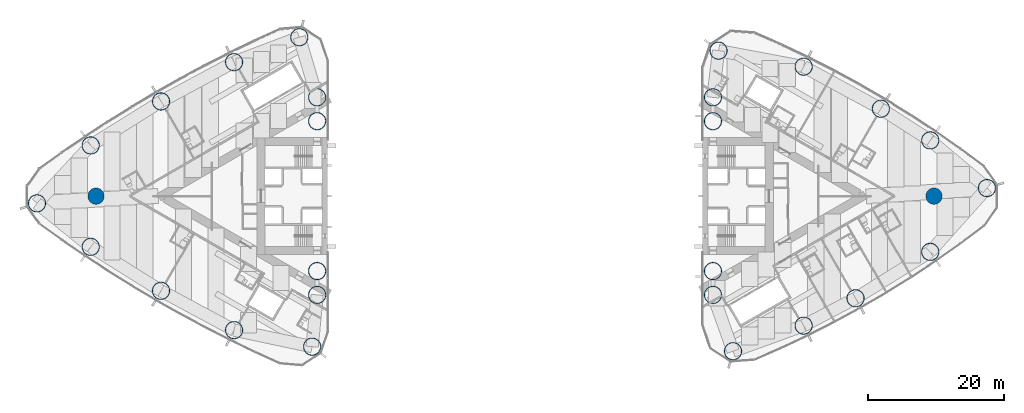
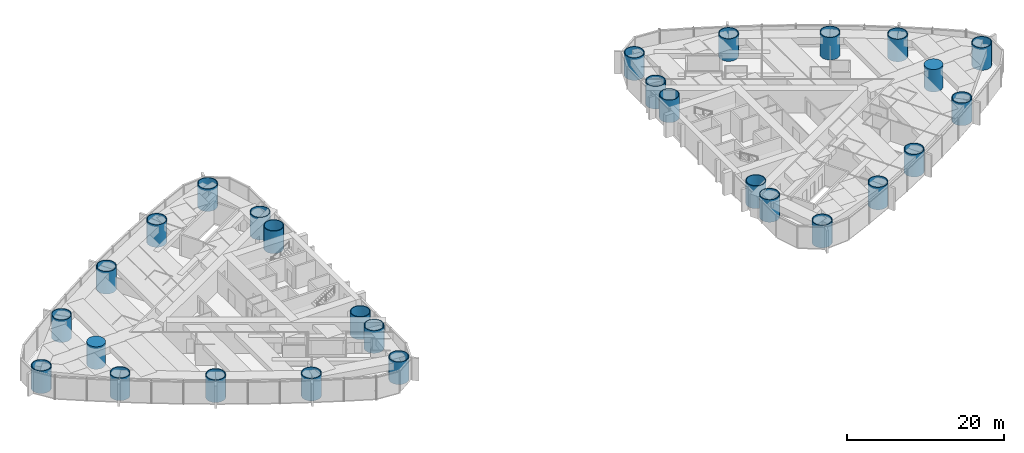
# One storey, part 1 of 18: 28 columns.
"""IFC4 building model written with IfcOpenShell, lengths in metres."""

from ifc_helpers import new_model, si_unit, direction, frame, origin, origin_2d, place, context, subcontext, project, spatial, circle, hollow_circle, extrude, material, material_profile, profile_set, type_object, element, save


model = new_model("IFC4")

# Units and contexts
model_context = context("Model", 3, precision=1e-05, world=origin(), true_north=direction((0.0, 1.0)))
body_context = subcontext(model_context, "Body", "Model", "MODEL_VIEW")
ifc_project = project(units=[si_unit("LENGTHUNIT", "METRE"), si_unit("AREAUNIT", "SQUARE_METRE"), si_unit("VOLUMEUNIT", "CUBIC_METRE"), si_unit("PLANEANGLEUNIT", "RADIAN"), si_unit("MASSUNIT", "GRAM", prefix="KILO")], contexts=[model_context])

# Site, building, storey
site_placement = place(None, origin())
site = spatial("IfcSite", under=ifc_project, at=site_placement, CompositionType="ELEMENT")
building_placement = place(site_placement, origin())
building = spatial("IfcBuilding", under=site, at=building_placement, Name="Lancet Gate Hotel", CompositionType="ELEMENT")
storey_placement = place(building_placement, frame((0.0, 0.0, 94.10009765625)))
storey = spatial("IfcBuildingStorey", under=building, at=storey_placement, Name="L24", CompositionType="ELEMENT", Elevation=94.10009765625)

# Columns
ifc_material_1 = material(Name="Concrete C80/95", Category="concrete")
ifc_material_profile_1 = material_profile(ifc_material_1, circle(Radius=1.199951171875, at=origin_2d()), Name="RC D2400")
ifc_profile_set_1 = profile_set([ifc_material_profile_1], Name="Concrete C80/95")
column_type_1 = type_object("IfcColumnType", Name="Apex column RC D2400", PredefinedType="COLUMN", material=ifc_profile_set_1)
for number, where, z_axis, x_axis, name in (
    (1, (-61.5, 0.0, 0.0), (0.0, 0.0, 1.0), (1.0, 0.0, 0.0), "T1 column AX L24"),
    (2, (61.5, 0.0, 0.0), (0.0, 0.0, 1.0), (1.0, 0.0, 0.0), "T2 column AX L24"),
):
    element("IfcColumn", number, at=place(storey_placement, frame(where, z_axis=z_axis, x_axis=x_axis)), inside=storey, type_object=column_type_1, Name=name, PredefinedType="COLUMN", context=body_context, shape_type="SweptSolid", body=[
        extrude(circle(Radius=1.199951171875, at=origin_2d()), origin(), (0.0, 0.0, 1.0), 3.5),
    ])
ifc_material_2 = material(Name="Composite filled tube, grade 460 plate, grade 80/95 fill", Category="composite")
ifc_material_profile_2 = material_profile(ifc_material_2, hollow_circle(Radius=1.300048828125, WallThickness=0.10009765625, at=origin_2d()), Name="CHS 2600x100")
ifc_profile_set_2 = profile_set([ifc_material_profile_2], Name="Composite filled tube, grade 460 plate, grade 80/95 fill")
column_type_2 = type_object("IfcColumnType", Name="Apex corner column CFT CHS 2600x100", PredefinedType="COLUMN", material=ifc_profile_set_2)
for number, where, z_axis, x_axis, name in (
    (3, (-70.16796875, -1.06005859375, 0.0), (0.0, 0.0, 1.0), (1.0, 0.0, 0.0), "T1 column CA L24"),
    (4, (69.268798828125, 1.1865234375, 0.0), (0.0, 0.0, 1.0), (1.0, 0.0, 0.0), "T2 column CA L24"),
):
    element("IfcColumn", number, at=place(storey_placement, frame(where, z_axis=z_axis, x_axis=x_axis)), inside=storey, type_object=column_type_2, Name=name, PredefinedType="COLUMN", context=body_context, shape_type="SweptSolid", body=[
        extrude(hollow_circle(Radius=1.300048828125, WallThickness=0.10009765625, at=origin_2d()), origin(), (0.0, 0.0, 1.0), 3.5),
    ])
ifc_material_3 = material(Name="Composite filled tube, grade 460 plate, grade 80/95 fill", Category="composite")
ifc_material_profile_3 = material_profile(ifc_material_3, hollow_circle(Radius=1.300048828125, WallThickness=0.10009765625, at=origin_2d()), Name="CHS 2600x100")
ifc_profile_set_3 = profile_set([ifc_material_profile_3], Name="Composite filled tube, grade 460 plate, grade 80/95 fill")
column_type_3 = type_object("IfcColumnType", Name="Perimeter column CFT CHS 2600x100", PredefinedType="COLUMN", material=ifc_profile_set_3)
for number, where, z_axis, x_axis, name in (
    (5, (-29.781005859375, -22.0947265625, 0.0), (0.0, 0.0, 1.0), (1.0, 0.0, 0.0), "T1 column CN L24"),
    (6, (-31.66455078125, 23.318359375, 0.0), (0.0, 0.0, 1.0), (1.0, 0.0, 0.0), "T1 column CS L24"),
    (7, (-29.050048828125, -11.0, 0.0), (0.0, 0.0, 1.0), (1.0, 0.0, 0.0), "T1 column IN L24"),
    (8, (-29.050048828125, 11.0, 0.0), (0.0, 0.0, 1.0), (1.0, 0.0, 0.0), "T1 column IS L24"),
    (9, (-29.050048828125, 14.5, 0.0), (0.0, 0.0, 1.0), (1.0, 0.0, 0.0), "T1 column IT L24"),
    (10, (-29.050048828125, -14.5, 0.0), (0.0, 0.0, 1.0), (1.0, 0.0, 0.0), "T1 column JT L24"),
    (11, (-62.28662109375, -7.444580078125, 0.0), (0.0, 0.0, 1.0), (1.0, 0.0, 0.0), "T1 column ON1 L24"),
    (12, (-51.963134765625, -13.89501953125, 0.0), (0.0, 0.0, 1.0), (1.0, 0.0, 0.0), "T1 column ON2 L24"),
    (13, (-41.244873046875, -19.665771484375, 0.0), (0.0, 0.0, 1.0), (1.0, 0.0, 0.0), "T1 column ON3 L24"),
    (14, (-41.244873046875, 19.665771484375, 0.0), (0.0, 0.0, 1.0), (1.0, 0.0, 0.0), "T1 column OS1 L24"),
    (15, (-51.963134765625, 13.89501953125, 0.0), (0.0, 0.0, 1.0), (1.0, 0.0, 0.0), "T1 column OS2 L24"),
    (16, (-62.28662109375, 7.444580078125, 0.0), (0.0, 0.0, 1.0), (1.0, 0.0, 0.0), "T1 column OS3 L24"),
    (17, (29.8720703125, 21.35498046875, 0.0), (0.0, 0.0, 1.0), (1.0, 0.0, 0.0), "T2 column CN L24"),
    (18, (31.99609375, -22.76318359375, 0.0), (0.0, 0.0, 1.0), (1.0, 0.0, 0.0), "T2 column CS L24"),
    (19, (29.050048828125, 11.0, 0.0), (0.0, 0.0, 1.0), (1.0, 0.0, 0.0), "T2 column IN L24"),
    (20, (29.050048828125, -11.0, 0.0), (0.0, 0.0, 1.0), (1.0, 0.0, 0.0), "T2 column IS L24"),
    (21, (29.050048828125, -14.5, 0.0), (0.0, 0.0, 1.0), (1.0, 0.0, 0.0), "T2 column IT L24"),
    (22, (29.050048828125, 14.5, 0.0), (0.0, 0.0, 1.0), (1.0, 0.0, 0.0), "T2 column JT L24"),
    (23, (60.940673828125, 8.18115234375, 0.0), (0.0, 0.0, 1.0), (1.0, 0.0, 0.0), "T2 column ON1 L24"),
    (24, (53.697021484375, 12.827392578125, 0.0), (0.0, 0.0, 1.0), (1.0, 0.0, 0.0), "T2 column ON2 L24"),
    (25, (42.3662109375, 19.007080078125, 0.0), (0.0, 0.0, 1.0), (1.0, 0.0, 0.0), "T2 column ON3 L24"),
    (26, (42.3662109375, -19.007080078125, 0.0), (0.0, 0.0, 1.0), (1.0, 0.0, 0.0), "T2 column OS1 L24"),
    (27, (49.97900390625, -14.994384765625, 0.0), (0.0, 0.0, 1.0), (1.0, 0.0, 0.0), "T2 column OS2 L24"),
    (28, (60.940673828125, -8.18115234375, 0.0), (0.0, 0.0, 1.0), (1.0, 0.0, 0.0), "T2 column OS3 L24"),
):
    element("IfcColumn", number, at=place(storey_placement, frame(where, z_axis=z_axis, x_axis=x_axis)), inside=storey, type_object=column_type_3, Name=name, PredefinedType="COLUMN", context=body_context, shape_type="SweptSolid", body=[
        extrude(hollow_circle(Radius=1.300048828125, WallThickness=0.10009765625, at=origin_2d()), origin(), (0.0, 0.0, 1.0), 3.5),
    ])

save(model, "model.ifc")
